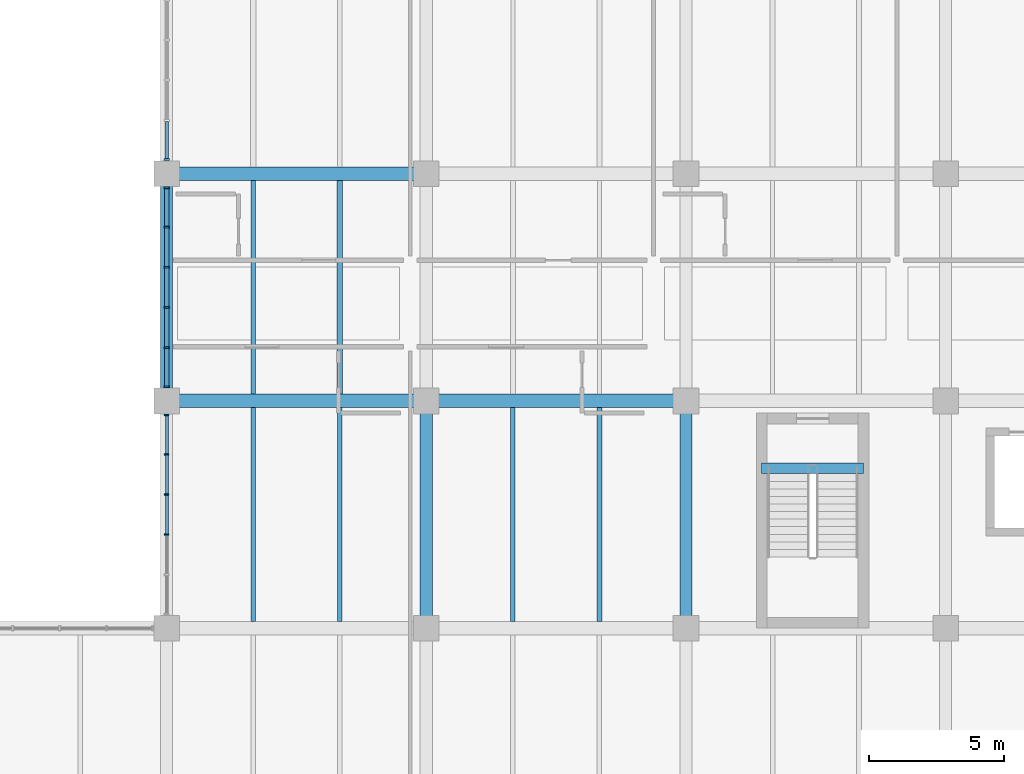
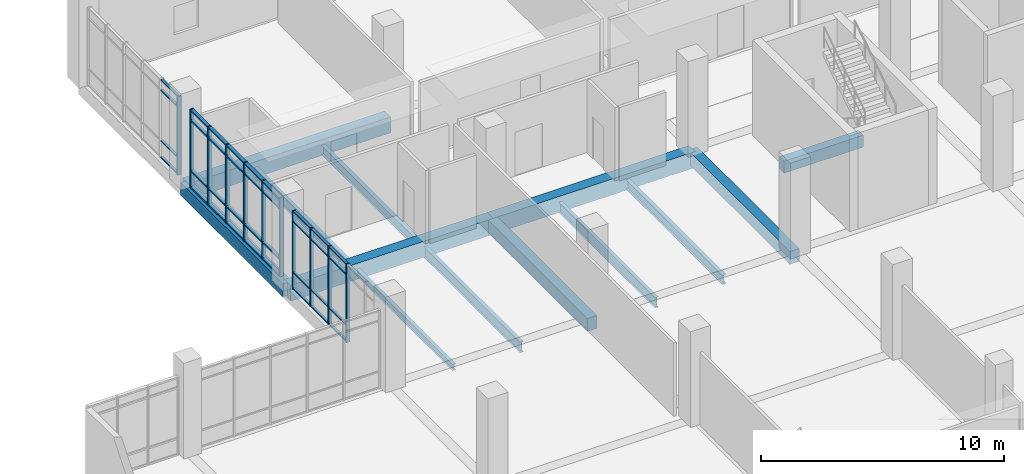
# One storey, part 70 of 152: 47 members, 13 beams, 3 elements without a shape of their own.
"""IFC4 building model written with IfcOpenShell, lengths in metres."""

from ifc_helpers import new_model, si_unit, direction, frame, origin, origin_2d, place, context, subcontext, project, spatial, rectangle, i_section, extrude, material, material_profile, profile_set, type_object, element, aggregate, save


model = new_model("IFC4")

# Units and contexts
model_context = context("Model", 3, precision=1e-05, world=origin(), true_north=direction((0.0, 1.0)))
body_context = subcontext(model_context, "Body", "Model", "MODEL_VIEW")
ifc_project = project(units=[si_unit("LENGTHUNIT", "METRE"), si_unit("AREAUNIT", "SQUARE_METRE"), si_unit("VOLUMEUNIT", "CUBIC_METRE"), si_unit("PLANEANGLEUNIT", "RADIAN"), si_unit("MASSUNIT", "GRAM", prefix="KILO")], contexts=[model_context])

# Site, building, storey
site_placement = place(None, origin())
site = spatial("IfcSite", under=ifc_project, at=site_placement, CompositionType="ELEMENT")
building_placement = place(site_placement, origin())
building = spatial("IfcBuilding", under=site, at=building_placement, Name="Oolite Switchyard Hospital", CompositionType="ELEMENT")
storey_placement = place(building_placement, frame((0.0, 0.0, 5.10009765625)))
storey = spatial("IfcBuildingStorey", under=building, at=storey_placement, Name="L01", CompositionType="ELEMENT", Elevation=5.10009765625)

# Beams
ifc_material_1 = material(Name="Concrete C40/50", Category="concrete")
ifc_material_profile_1 = material_profile(ifc_material_1, rectangle(XDim=0.39990234375, YDim=0.60009765625, at=origin_2d()), Name="RCB400X600")
ifc_profile_set_1 = profile_set([ifc_material_profile_1], Name="Concrete C40/50")
beam_type_1 = type_object("IfcBeamType", Name="BM-RC400X600", PredefinedType="BEAM", material=ifc_profile_set_1)
beam_1_placement = place(storey_placement, frame((156.39990234375, 115.110107421875, -0.300048828125), z_axis=(1.0, 0.0, 0.0), x_axis=(0.0, 1.0, 0.0)))
element("IfcBeam", 1, at=beam_1_placement, inside=storey, type_object=beam_type_1, Name="L01 ST-03 Stair Throat Trimmer Beam", PredefinedType="BEAM", context=body_context, shape_type="SweptSolid", body=[
    extrude(rectangle(XDim=0.39990234375, YDim=0.60009765625, at=origin_2d()), origin(), (0.0, 0.0, 1.0), 3.760009765625),
])
ifc_material_profile_2 = material_profile(ifc_material_1, rectangle(XDim=0.449951171875, YDim=0.64990234375, at=origin_2d()), Name="RCB450X650")
ifc_profile_set_2 = profile_set([ifc_material_profile_2], Name="Concrete C40/50")
beam_type_2 = type_object("IfcBeamType", Name="BM-RC450X650", PredefinedType="BEAM", material=ifc_profile_set_2)
beam_2_placement = place(storey_placement, frame((134.39990234375, 117.60009765625, -0.3251953125), z_axis=(0.0, 1.0, 0.0), x_axis=(-1.0, 0.0, 0.0)))
element("IfcBeam", 2, at=beam_2_placement, inside=storey, type_object=beam_type_2, Name="L01 Y-Girder 457", PredefinedType="BEAM", context=body_context, shape_type="SweptSolid", body=[
    extrude(rectangle(XDim=0.449951171875, YDim=0.64990234375, at=origin_2d()), origin(), (0.0, 0.0, 1.0), 8.39990234375),
])
for number, where, z_axis, x_axis, name in (
    (3, (144.0, 109.199951171875, -0.3251953125), (0.0, 1.0, 0.0), (-1.0, 0.0, 0.0), "L01 Y-Girder 471"),
    (4, (153.60009765625, 109.199951171875, -0.3251953125), (0.0, 1.0, 0.0), (-1.0, 0.0, 0.0), "L01 Y-Girder 484"),
):
    element("IfcBeam", number, at=place(storey_placement, frame(where, z_axis=z_axis, x_axis=x_axis)), inside=storey, type_object=beam_type_2, Name=name, PredefinedType="BEAM", context=body_context, shape_type="SweptSolid", body=[
        extrude(rectangle(XDim=0.449951171875, YDim=0.64990234375, at=origin_2d()), origin(), (0.0, 0.0, 1.0), 8.400146484375),
    ])
ifc_material_profile_3 = material_profile(ifc_material_1, rectangle(XDim=0.5, YDim=0.800048828125, at=origin_2d()), Name="RCB500X800")
ifc_profile_set_3 = profile_set([ifc_material_profile_3], Name="Concrete C40/50")
beam_type_3 = type_object("IfcBeamType", Name="BM-RC500X800", PredefinedType="BEAM", material=ifc_profile_set_3)
for number, where, z_axis, x_axis, name in (
    (5, (134.39990234375, 117.60009765625, -0.400146484375), (1.0, 0.0, 0.0), (0.0, 1.0, 0.0), "L01 X-Girder 247"),
    (6, (144.0, 117.60009765625, -0.400146484375), (1.0, 0.0, 0.0), (0.0, 1.0, 0.0), "L01 X-Girder 248"),
    (7, (134.39990234375, 126.0, -0.400146484375), (1.0, 0.0, 0.0), (0.0, 1.0, 0.0), "L01 X-Girder 263"),
):
    element("IfcBeam", number, at=place(storey_placement, frame(where, z_axis=z_axis, x_axis=x_axis)), inside=storey, type_object=beam_type_3, Name=name, PredefinedType="BEAM", context=body_context, shape_type="SweptSolid", body=[
        extrude(rectangle(XDim=0.5, YDim=0.800048828125, at=origin_2d()), origin(), (0.0, 0.0, 1.0), 9.60009765625),
    ])
ifc_material_2 = material(Name="Steel ASTM A992 Grade 50", Category="steel")
ifc_material_profile_4 = material_profile(ifc_material_2, i_section(OverallWidth=0.1650390625, OverallDepth=0.31005859375, WebThickness=0.006103515625, FlangeThickness=0.010009765625, at=origin_2d()), Name="W12X26")
ifc_profile_set_4 = profile_set([ifc_material_profile_4], Name="Steel ASTM A992 Grade 50")
beam_type_4 = type_object("IfcBeamType", Name="BM-W12X26", PredefinedType="JOIST", material=ifc_profile_set_4)
beam_3_placement = place(storey_placement, frame((137.60009765625, 109.449951171875, -0.43017578125), z_axis=(0.0, 1.0, 0.0), x_axis=(-1.0, 0.0, 0.0)))
element("IfcBeam", 8, at=beam_3_placement, inside=storey, type_object=beam_type_4, Name="L01 Secondary Steel Joist 846", PredefinedType="JOIST", context=body_context, shape_type="SweptSolid", body=[
    extrude(i_section(OverallWidth=0.1650390625, OverallDepth=0.31005859375, WebThickness=0.006103515625, FlangeThickness=0.010009765625, at=origin_2d()), origin(), (0.0, 0.0, 1.0), 7.900146484375),
])
ifc_material_profile_5 = material_profile(ifc_material_2, i_section(OverallWidth=0.19091796875, OverallDepth=0.4599609375, WebThickness=0.010009765625, FlangeThickness=0.01611328125, at=origin_2d()), Name="W18X55")
ifc_profile_set_5 = profile_set([ifc_material_profile_5], Name="Steel ASTM A992 Grade 50")
beam_type_5 = type_object("IfcBeamType", Name="BM-W18X55", PredefinedType="JOIST", material=ifc_profile_set_5)
beam_4_placement = place(storey_placement, frame((140.800048828125, 117.85009765625, -0.505126953125), z_axis=(0.0, 1.0, 0.0), x_axis=(-1.0, 0.0, 0.0)))
element("IfcBeam", 9, at=beam_4_placement, inside=storey, type_object=beam_type_5, Name="L01 Secondary Steel Joist 849", PredefinedType="JOIST", context=body_context, shape_type="SweptSolid", body=[
    extrude(i_section(OverallWidth=0.19091796875, OverallDepth=0.4599609375, WebThickness=0.010009765625, FlangeThickness=0.01611328125, at=origin_2d()), origin(), (0.0, 0.0, 1.0), 7.89990234375),
])
beam_5_placement = place(storey_placement, frame((150.39990234375, 109.449951171875, -0.505126953125), z_axis=(0.0, 1.0, 0.0), x_axis=(-1.0, 0.0, 0.0)))
element("IfcBeam", 10, at=beam_5_placement, inside=storey, type_object=beam_type_5, Name="L01 Secondary Steel Joist 867", PredefinedType="JOIST", context=body_context, shape_type="SweptSolid", body=[
    extrude(i_section(OverallWidth=0.19091796875, OverallDepth=0.4599609375, WebThickness=0.010009765625, FlangeThickness=0.01611328125, at=origin_2d()), origin(), (0.0, 0.0, 1.0), 7.900146484375),
])
ifc_material_profile_6 = material_profile(ifc_material_2, i_section(OverallWidth=0.166015625, OverallDepth=0.529052734375, WebThickness=0.010009765625, FlangeThickness=0.013916015625, at=origin_2d()), Name="W21X50")
ifc_profile_set_6 = profile_set([ifc_material_profile_6], Name="Steel ASTM A992 Grade 50")
beam_type_6 = type_object("IfcBeamType", Name="BM-W21X50", PredefinedType="JOIST", material=ifc_profile_set_6)
beam_6_placement = place(storey_placement, frame((140.800048828125, 109.449951171875, -0.5400390625), z_axis=(0.0, 1.0, 0.0), x_axis=(-1.0, 0.0, 0.0)))
element("IfcBeam", 11, at=beam_6_placement, inside=storey, type_object=beam_type_6, Name="L01 Secondary Steel Joist 847", PredefinedType="JOIST", context=body_context, shape_type="SweptSolid", body=[
    extrude(i_section(OverallWidth=0.166015625, OverallDepth=0.529052734375, WebThickness=0.010009765625, FlangeThickness=0.013916015625, at=origin_2d()), origin(), (0.0, 0.0, 1.0), 7.900146484375),
])
beam_7_placement = place(storey_placement, frame((137.60009765625, 117.85009765625, -0.5400390625), z_axis=(0.0, 1.0, 0.0), x_axis=(-1.0, 0.0, 0.0)))
element("IfcBeam", 12, at=beam_7_placement, inside=storey, type_object=beam_type_6, Name="L01 Secondary Steel Joist 848", PredefinedType="JOIST", context=body_context, shape_type="SweptSolid", body=[
    extrude(i_section(OverallWidth=0.166015625, OverallDepth=0.529052734375, WebThickness=0.010009765625, FlangeThickness=0.013916015625, at=origin_2d()), origin(), (0.0, 0.0, 1.0), 7.89990234375),
])
beam_8_placement = place(storey_placement, frame((147.199951171875, 109.449951171875, -0.5400390625), z_axis=(0.0, 1.0, 0.0), x_axis=(-1.0, 0.0, 0.0)))
element("IfcBeam", 13, at=beam_8_placement, inside=storey, type_object=beam_type_6, Name="L01 Secondary Steel Joist 866", PredefinedType="JOIST", context=body_context, shape_type="SweptSolid", body=[
    extrude(i_section(OverallWidth=0.166015625, OverallDepth=0.529052734375, WebThickness=0.010009765625, FlangeThickness=0.013916015625, at=origin_2d()), origin(), (0.0, 0.0, 1.0), 7.900146484375),
])

# Curtain wall, members
ifc_material_3 = material(Name="Thermally broken aluminum frame with laminated impact glazing", Category="aluminium")
curtain_wall_type = type_object("IfcCurtainWallType", Name="CW-UNIT-84X48", PredefinedType="USERDEFINED", material=ifc_material_3)
curtain_wall_1_placement = place(storey_placement, origin())
curtain_wall_1 = element("IfcCurtainWall", 14, at=curtain_wall_1_placement, inside=storey, type_object=curtain_wall_type, Name="L01 Unitised Curtain Wall 188", ObjectType="UNITISED", PredefinedType="USERDEFINED")
ifc_material_4 = material(Name="Aluminium 6063-T6", Category="aluminium")
ifc_material_profile_7 = material_profile(ifc_material_4, rectangle(XDim=0.159912109375, YDim=0.06005859375, at=origin_2d()), Name="CWM60X160")
ifc_profile_set_7 = profile_set([ifc_material_profile_7], Name="Aluminium 6063-T6")
member_type_1 = type_object("IfcMemberType", Name="CW-MUL-180", PredefinedType="MULLION", material=ifc_profile_set_7)
member_1_placement = place(storey_placement, frame((134.39990234375, 112.657958984375, 0.0), z_axis=(0.0, 0.0, 1.0), x_axis=(-1.0, 0.0, 0.0)))
member_1 = element("IfcMember", 15, at=member_1_placement, type_object=member_type_1, Name="CW-07 mullion 3", PredefinedType="MULLION", context=body_context, shape_type="SweptSolid", body=[
    extrude(rectangle(XDim=0.159912109375, YDim=0.06005859375, at=origin_2d()), origin(), (0.0, 0.0, 1.0), 3.93994140625),
])
member_2_placement = place(storey_placement, frame((134.39990234375, 114.14208984375, 0.0), z_axis=(0.0, 0.0, 1.0), x_axis=(-1.0, 0.0, 0.0)))
member_2 = element("IfcMember", 16, at=member_2_placement, type_object=member_type_1, Name="CW-07 mullion 4", PredefinedType="MULLION", context=body_context, shape_type="SweptSolid", body=[
    extrude(rectangle(XDim=0.159912109375, YDim=0.06005859375, at=origin_2d()), origin(), (0.0, 0.0, 1.0), 3.93994140625),
])
member_3_placement = place(storey_placement, frame((134.39990234375, 115.6259765625, 0.0), z_axis=(0.0, 0.0, 1.0), x_axis=(-1.0, 0.0, 0.0)))
member_3 = element("IfcMember", 17, at=member_3_placement, type_object=member_type_1, Name="CW-07 mullion 5", PredefinedType="MULLION", context=body_context, shape_type="SweptSolid", body=[
    extrude(rectangle(XDim=0.159912109375, YDim=0.06005859375, at=origin_2d()), origin(), (0.0, 0.0, 1.0), 3.93994140625),
])
member_4_placement = place(storey_placement, frame((134.39990234375, 117.080078125, 0.0), z_axis=(0.0, 0.0, 1.0), x_axis=(-1.0, 0.0, 0.0)))
member_4 = element("IfcMember", 18, at=member_4_placement, type_object=member_type_1, Name="CW-07 mullion 6", PredefinedType="MULLION", context=body_context, shape_type="SweptSolid", body=[
    extrude(rectangle(XDim=0.159912109375, YDim=0.06005859375, at=origin_2d()), origin(), (0.0, 0.0, 1.0), 3.93994140625),
])

curtain_wall_2_placement = place(storey_placement, origin())
curtain_wall_2 = element("IfcCurtainWall", 19, at=curtain_wall_2_placement, inside=storey, type_object=curtain_wall_type, Name="L01 Unitised Curtain Wall 189", ObjectType="UNITISED", PredefinedType="USERDEFINED")
ifc_material_profile_8 = material_profile(ifc_material_4, rectangle(XDim=0.179931640625, YDim=0.070068359375, at=origin_2d()), Name="CWM70X180")
ifc_profile_set_8 = profile_set([ifc_material_profile_8], Name="Aluminium 6063-T6")
member_type_2 = type_object("IfcMemberType", Name="CW-MUL-220", PredefinedType="MULLION", material=ifc_profile_set_8)
member_5_placement = place(storey_placement, frame((134.39990234375, 118.125, 0.0), z_axis=(0.0, 0.0, 1.0), x_axis=(-1.0, 0.0, 0.0)))
member_5 = element("IfcMember", 20, at=member_5_placement, type_object=member_type_2, Name="CW-07 mullion 1", PredefinedType="MULLION", context=body_context, shape_type="SweptSolid", body=[
    extrude(rectangle(XDim=0.179931640625, YDim=0.070068359375, at=origin_2d()), origin(), (0.0, 0.0, 1.0), 3.93994140625),
])
member_6_placement = place(storey_placement, frame((134.39990234375, 119.573974609375, 0.0), z_axis=(0.0, 0.0, 1.0), x_axis=(-1.0, 0.0, 0.0)))
member_6 = element("IfcMember", 21, at=member_6_placement, type_object=member_type_2, Name="CW-07 mullion 2", PredefinedType="MULLION", context=body_context, shape_type="SweptSolid", body=[
    extrude(rectangle(XDim=0.179931640625, YDim=0.070068359375, at=origin_2d()), origin(), (0.0, 0.0, 1.0), 3.93994140625),
])
member_7_placement = place(storey_placement, frame((134.39990234375, 121.05810546875, 0.0), z_axis=(0.0, 0.0, 1.0), x_axis=(-1.0, 0.0, 0.0)))
member_7 = element("IfcMember", 22, at=member_7_placement, type_object=member_type_2, Name="CW-07 mullion 3", PredefinedType="MULLION", context=body_context, shape_type="SweptSolid", body=[
    extrude(rectangle(XDim=0.179931640625, YDim=0.070068359375, at=origin_2d()), origin(), (0.0, 0.0, 1.0), 3.93994140625),
])
member_8_placement = place(storey_placement, frame((134.39990234375, 122.5419921875, 0.0), z_axis=(0.0, 0.0, 1.0), x_axis=(-1.0, 0.0, 0.0)))
member_8 = element("IfcMember", 23, at=member_8_placement, type_object=member_type_2, Name="CW-07 mullion 4", PredefinedType="MULLION", context=body_context, shape_type="SweptSolid", body=[
    extrude(rectangle(XDim=0.179931640625, YDim=0.070068359375, at=origin_2d()), origin(), (0.0, 0.0, 1.0), 3.93994140625),
])
member_9_placement = place(storey_placement, frame((134.39990234375, 124.02587890625, 0.0), z_axis=(0.0, 0.0, 1.0), x_axis=(-1.0, 0.0, 0.0)))
member_9 = element("IfcMember", 24, at=member_9_placement, type_object=member_type_2, Name="CW-07 mullion 5", PredefinedType="MULLION", context=body_context, shape_type="SweptSolid", body=[
    extrude(rectangle(XDim=0.179931640625, YDim=0.070068359375, at=origin_2d()), origin(), (0.0, 0.0, 1.0), 3.93994140625),
])
member_10_placement = place(storey_placement, frame((134.39990234375, 125.47509765625, 0.0), z_axis=(0.0, 0.0, 1.0), x_axis=(-1.0, 0.0, 0.0)))
member_10 = element("IfcMember", 25, at=member_10_placement, type_object=member_type_2, Name="CW-07 mullion 6", PredefinedType="MULLION", context=body_context, shape_type="SweptSolid", body=[
    extrude(rectangle(XDim=0.179931640625, YDim=0.070068359375, at=origin_2d()), origin(), (0.0, 0.0, 1.0), 3.93994140625),
])

# Curtain wall, member
curtain_wall_3_placement = place(storey_placement, origin())
curtain_wall_3 = element("IfcCurtainWall", 26, at=curtain_wall_3_placement, inside=storey, type_object=curtain_wall_type, Name="L01 Unitised Curtain Wall 190", ObjectType="UNITISED", PredefinedType="USERDEFINED")
ifc_material_profile_9 = material_profile(ifc_material_4, rectangle(XDim=0.199951171875, YDim=0.074951171875, at=origin_2d()), Name="CWM75X200")
ifc_profile_set_9 = profile_set([ifc_material_profile_9], Name="Aluminium 6063-T6")
member_type_3 = type_object("IfcMemberType", Name="CW-MUL-260", PredefinedType="MULLION", material=ifc_profile_set_9)
member_11_placement = place(storey_placement, frame((134.39990234375, 126.527587890625, 0.0), z_axis=(0.0, 0.0, 1.0), x_axis=(-1.0, 0.0, 0.0)))
member_11 = element("IfcMember", 27, at=member_11_placement, type_object=member_type_3, Name="CW-07 mullion 1", PredefinedType="MULLION", context=body_context, shape_type="SweptSolid", body=[
    extrude(rectangle(XDim=0.199951171875, YDim=0.074951171875, at=origin_2d()), origin(), (0.0, 0.0, 1.0), 3.93994140625),
])

# Member
ifc_material_profile_10 = material_profile(ifc_material_4, rectangle(XDim=0.1201171875, YDim=0.06005859375, at=origin_2d()), Name="CWT60X120")
ifc_profile_set_10 = profile_set([ifc_material_profile_10], Name="Aluminium 6063-T6")
member_type_4 = type_object("IfcMemberType", Name="CW-TRN-150", PredefinedType="USERDEFINED", material=ifc_profile_set_10)
member_12_placement = place(storey_placement, frame((134.39990234375, 112.68798828125, 0.02978515625), z_axis=(0.0, 1.0, 0.0), x_axis=(-1.0, 0.0, 0.0)))
member_12 = element("IfcMember", 28, at=member_12_placement, type_object=member_type_4, Name="CW-07 transom 3.1", ObjectType="TRANSOM", PredefinedType="USERDEFINED", context=body_context, shape_type="SweptSolid", body=[
    extrude(rectangle(XDim=0.1201171875, YDim=0.06005859375, at=origin_2d()), origin(), (0.0, 0.0, 1.0), 1.424072265625),
])

member_13_placement = place(storey_placement, frame((134.39990234375, 112.68798828125, 0.849853515625), z_axis=(0.0, 1.0, 0.0), x_axis=(-1.0, 0.0, 0.0)))
member_13 = element("IfcMember", 29, at=member_13_placement, type_object=member_type_4, Name="CW-07 transom 3.2", ObjectType="TRANSOM", PredefinedType="USERDEFINED", context=body_context, shape_type="SweptSolid", body=[
    extrude(rectangle(XDim=0.1201171875, YDim=0.06005859375, at=origin_2d()), origin(), (0.0, 0.0, 1.0), 1.424072265625),
])

member_14_placement = place(storey_placement, frame((134.39990234375, 112.68798828125, 3.389892578125), z_axis=(0.0, 1.0, 0.0), x_axis=(-1.0, 0.0, 0.0)))
member_14 = element("IfcMember", 30, at=member_14_placement, type_object=member_type_4, Name="CW-07 transom 3.3", ObjectType="TRANSOM", PredefinedType="USERDEFINED", context=body_context, shape_type="SweptSolid", body=[
    extrude(rectangle(XDim=0.1201171875, YDim=0.06005859375, at=origin_2d()), origin(), (0.0, 0.0, 1.0), 1.424072265625),
])

member_15_placement = place(storey_placement, frame((134.39990234375, 112.68798828125, 3.909912109375), z_axis=(0.0, 1.0, 0.0), x_axis=(-1.0, 0.0, 0.0)))
member_15 = element("IfcMember", 31, at=member_15_placement, type_object=member_type_4, Name="CW-07 transom 3.4", ObjectType="TRANSOM", PredefinedType="USERDEFINED", context=body_context, shape_type="SweptSolid", body=[
    extrude(rectangle(XDim=0.1201171875, YDim=0.06005859375, at=origin_2d()), origin(), (0.0, 0.0, 1.0), 1.424072265625),
])

member_16_placement = place(storey_placement, frame((134.39990234375, 114.172119140625, 0.02978515625), z_axis=(0.0, 1.0, 0.0), x_axis=(-1.0, 0.0, 0.0)))
member_16 = element("IfcMember", 32, at=member_16_placement, type_object=member_type_4, Name="CW-07 transom 4.1", ObjectType="TRANSOM", PredefinedType="USERDEFINED", context=body_context, shape_type="SweptSolid", body=[
    extrude(rectangle(XDim=0.1201171875, YDim=0.06005859375, at=origin_2d()), origin(), (0.0, 0.0, 1.0), 1.423828125),
])

member_17_placement = place(storey_placement, frame((134.39990234375, 114.172119140625, 0.849853515625), z_axis=(0.0, 1.0, 0.0), x_axis=(-1.0, 0.0, 0.0)))
member_17 = element("IfcMember", 33, at=member_17_placement, type_object=member_type_4, Name="CW-07 transom 4.2", ObjectType="TRANSOM", PredefinedType="USERDEFINED", context=body_context, shape_type="SweptSolid", body=[
    extrude(rectangle(XDim=0.1201171875, YDim=0.06005859375, at=origin_2d()), origin(), (0.0, 0.0, 1.0), 1.423828125),
])

member_18_placement = place(storey_placement, frame((134.39990234375, 114.172119140625, 3.389892578125), z_axis=(0.0, 1.0, 0.0), x_axis=(-1.0, 0.0, 0.0)))
member_18 = element("IfcMember", 34, at=member_18_placement, type_object=member_type_4, Name="CW-07 transom 4.3", ObjectType="TRANSOM", PredefinedType="USERDEFINED", context=body_context, shape_type="SweptSolid", body=[
    extrude(rectangle(XDim=0.1201171875, YDim=0.06005859375, at=origin_2d()), origin(), (0.0, 0.0, 1.0), 1.423828125),
])

member_19_placement = place(storey_placement, frame((134.39990234375, 114.172119140625, 3.909912109375), z_axis=(0.0, 1.0, 0.0), x_axis=(-1.0, 0.0, 0.0)))
member_19 = element("IfcMember", 35, at=member_19_placement, type_object=member_type_4, Name="CW-07 transom 4.4", ObjectType="TRANSOM", PredefinedType="USERDEFINED", context=body_context, shape_type="SweptSolid", body=[
    extrude(rectangle(XDim=0.1201171875, YDim=0.06005859375, at=origin_2d()), origin(), (0.0, 0.0, 1.0), 1.423828125),
])

member_20_placement = place(storey_placement, frame((134.39990234375, 115.656005859375, 0.02978515625), z_axis=(0.0, 1.0, 0.0), x_axis=(-1.0, 0.0, 0.0)))
member_20 = element("IfcMember", 36, at=member_20_placement, type_object=member_type_4, Name="CW-07 transom 5.1", ObjectType="TRANSOM", PredefinedType="USERDEFINED", context=body_context, shape_type="SweptSolid", body=[
    extrude(rectangle(XDim=0.1201171875, YDim=0.06005859375, at=origin_2d()), origin(), (0.0, 0.0, 1.0), 1.39404296875),
])

member_21_placement = place(storey_placement, frame((134.39990234375, 115.656005859375, 0.849853515625), z_axis=(0.0, 1.0, 0.0), x_axis=(-1.0, 0.0, 0.0)))
member_21 = element("IfcMember", 37, at=member_21_placement, type_object=member_type_4, Name="CW-07 transom 5.2", ObjectType="TRANSOM", PredefinedType="USERDEFINED", context=body_context, shape_type="SweptSolid", body=[
    extrude(rectangle(XDim=0.1201171875, YDim=0.06005859375, at=origin_2d()), origin(), (0.0, 0.0, 1.0), 1.39404296875),
])

member_22_placement = place(storey_placement, frame((134.39990234375, 115.656005859375, 3.389892578125), z_axis=(0.0, 1.0, 0.0), x_axis=(-1.0, 0.0, 0.0)))
member_22 = element("IfcMember", 38, at=member_22_placement, type_object=member_type_4, Name="CW-07 transom 5.3", ObjectType="TRANSOM", PredefinedType="USERDEFINED", context=body_context, shape_type="SweptSolid", body=[
    extrude(rectangle(XDim=0.1201171875, YDim=0.06005859375, at=origin_2d()), origin(), (0.0, 0.0, 1.0), 1.39404296875),
])

member_23_placement = place(storey_placement, frame((134.39990234375, 115.656005859375, 3.909912109375), z_axis=(0.0, 1.0, 0.0), x_axis=(-1.0, 0.0, 0.0)))
member_23 = element("IfcMember", 39, at=member_23_placement, type_object=member_type_4, Name="CW-07 transom 5.4", ObjectType="TRANSOM", PredefinedType="USERDEFINED", context=body_context, shape_type="SweptSolid", body=[
    extrude(rectangle(XDim=0.1201171875, YDim=0.06005859375, at=origin_2d()), origin(), (0.0, 0.0, 1.0), 1.39404296875),
])

aggregate(curtain_wall_1, [member_1, member_2, member_3, member_4, member_12, member_13, member_14, member_15, member_16, member_17, member_18, member_19, member_20, member_21, member_22, member_23])

member_24_placement = place(storey_placement, frame((134.39990234375, 126.56494140625, 0.02978515625), z_axis=(0.0, 1.0, 0.0), x_axis=(-1.0, 0.0, 0.0)))
member_24 = element("IfcMember", 40, at=member_24_placement, type_object=member_type_4, Name="CW-07 transom 1.1", ObjectType="TRANSOM", PredefinedType="USERDEFINED", context=body_context, shape_type="SweptSolid", body=[
    extrude(rectangle(XDim=0.1201171875, YDim=0.06005859375, at=origin_2d()), origin(), (0.0, 0.0, 1.0), 1.37158203125),
])

member_25_placement = place(storey_placement, frame((134.39990234375, 126.56494140625, 0.849853515625), z_axis=(0.0, 1.0, 0.0), x_axis=(-1.0, 0.0, 0.0)))
member_25 = element("IfcMember", 41, at=member_25_placement, type_object=member_type_4, Name="CW-07 transom 1.2", ObjectType="TRANSOM", PredefinedType="USERDEFINED", context=body_context, shape_type="SweptSolid", body=[
    extrude(rectangle(XDim=0.1201171875, YDim=0.06005859375, at=origin_2d()), origin(), (0.0, 0.0, 1.0), 1.37158203125),
])

member_26_placement = place(storey_placement, frame((134.39990234375, 126.56494140625, 3.389892578125), z_axis=(0.0, 1.0, 0.0), x_axis=(-1.0, 0.0, 0.0)))
member_26 = element("IfcMember", 42, at=member_26_placement, type_object=member_type_4, Name="CW-07 transom 1.3", ObjectType="TRANSOM", PredefinedType="USERDEFINED", context=body_context, shape_type="SweptSolid", body=[
    extrude(rectangle(XDim=0.1201171875, YDim=0.06005859375, at=origin_2d()), origin(), (0.0, 0.0, 1.0), 1.37158203125),
])

member_27_placement = place(storey_placement, frame((134.39990234375, 126.56494140625, 3.909912109375), z_axis=(0.0, 1.0, 0.0), x_axis=(-1.0, 0.0, 0.0)))
member_27 = element("IfcMember", 43, at=member_27_placement, type_object=member_type_4, Name="CW-07 transom 1.4", ObjectType="TRANSOM", PredefinedType="USERDEFINED", context=body_context, shape_type="SweptSolid", body=[
    extrude(rectangle(XDim=0.1201171875, YDim=0.06005859375, at=origin_2d()), origin(), (0.0, 0.0, 1.0), 1.37158203125),
])

aggregate(curtain_wall_3, [member_11, member_24, member_25, member_26, member_27])

ifc_material_profile_11 = material_profile(ifc_material_4, rectangle(XDim=0.159912109375, YDim=0.074951171875, at=origin_2d()), Name="CWT75X160")
ifc_profile_set_11 = profile_set([ifc_material_profile_11], Name="Aluminium 6063-T6")
member_type_5 = type_object("IfcMemberType", Name="CW-TRN-180", PredefinedType="USERDEFINED", material=ifc_profile_set_11)
member_28_placement = place(storey_placement, frame((134.39990234375, 118.159912109375, 0.037353515625), z_axis=(0.0, 1.0, 0.0), x_axis=(-1.0, 0.0, 0.0)))
member_28 = element("IfcMember", 44, at=member_28_placement, type_object=member_type_5, Name="CW-07 transom 1.1", ObjectType="TRANSOM", PredefinedType="USERDEFINED", context=body_context, shape_type="SweptSolid", body=[
    extrude(rectangle(XDim=0.159912109375, YDim=0.074951171875, at=origin_2d()), origin(), (0.0, 0.0, 1.0), 1.379150390625),
])

member_29_placement = place(storey_placement, frame((134.39990234375, 118.159912109375, 0.849853515625), z_axis=(0.0, 1.0, 0.0), x_axis=(-1.0, 0.0, 0.0)))
member_29 = element("IfcMember", 45, at=member_29_placement, type_object=member_type_5, Name="CW-07 transom 1.2", ObjectType="TRANSOM", PredefinedType="USERDEFINED", context=body_context, shape_type="SweptSolid", body=[
    extrude(rectangle(XDim=0.159912109375, YDim=0.074951171875, at=origin_2d()), origin(), (0.0, 0.0, 1.0), 1.379150390625),
])

member_30_placement = place(storey_placement, frame((134.39990234375, 118.159912109375, 3.389892578125), z_axis=(0.0, 1.0, 0.0), x_axis=(-1.0, 0.0, 0.0)))
member_30 = element("IfcMember", 46, at=member_30_placement, type_object=member_type_5, Name="CW-07 transom 1.3", ObjectType="TRANSOM", PredefinedType="USERDEFINED", context=body_context, shape_type="SweptSolid", body=[
    extrude(rectangle(XDim=0.159912109375, YDim=0.074951171875, at=origin_2d()), origin(), (0.0, 0.0, 1.0), 1.379150390625),
])

member_31_placement = place(storey_placement, frame((134.39990234375, 118.159912109375, 3.90234375), z_axis=(0.0, 1.0, 0.0), x_axis=(-1.0, 0.0, 0.0)))
member_31 = element("IfcMember", 47, at=member_31_placement, type_object=member_type_5, Name="CW-07 transom 1.4", ObjectType="TRANSOM", PredefinedType="USERDEFINED", context=body_context, shape_type="SweptSolid", body=[
    extrude(rectangle(XDim=0.159912109375, YDim=0.074951171875, at=origin_2d()), origin(), (0.0, 0.0, 1.0), 1.379150390625),
])

member_32_placement = place(storey_placement, frame((134.39990234375, 119.60888671875, 0.037353515625), z_axis=(0.0, 1.0, 0.0), x_axis=(-1.0, 0.0, 0.0)))
member_32 = element("IfcMember", 48, at=member_32_placement, type_object=member_type_5, Name="CW-07 transom 2.1", ObjectType="TRANSOM", PredefinedType="USERDEFINED", context=body_context, shape_type="SweptSolid", body=[
    extrude(rectangle(XDim=0.159912109375, YDim=0.074951171875, at=origin_2d()), origin(), (0.0, 0.0, 1.0), 1.4140625),
])

member_33_placement = place(storey_placement, frame((134.39990234375, 119.60888671875, 0.849853515625), z_axis=(0.0, 1.0, 0.0), x_axis=(-1.0, 0.0, 0.0)))
member_33 = element("IfcMember", 49, at=member_33_placement, type_object=member_type_5, Name="CW-07 transom 2.2", ObjectType="TRANSOM", PredefinedType="USERDEFINED", context=body_context, shape_type="SweptSolid", body=[
    extrude(rectangle(XDim=0.159912109375, YDim=0.074951171875, at=origin_2d()), origin(), (0.0, 0.0, 1.0), 1.4140625),
])

member_34_placement = place(storey_placement, frame((134.39990234375, 119.60888671875, 3.389892578125), z_axis=(0.0, 1.0, 0.0), x_axis=(-1.0, 0.0, 0.0)))
member_34 = element("IfcMember", 50, at=member_34_placement, type_object=member_type_5, Name="CW-07 transom 2.3", ObjectType="TRANSOM", PredefinedType="USERDEFINED", context=body_context, shape_type="SweptSolid", body=[
    extrude(rectangle(XDim=0.159912109375, YDim=0.074951171875, at=origin_2d()), origin(), (0.0, 0.0, 1.0), 1.4140625),
])

member_35_placement = place(storey_placement, frame((134.39990234375, 119.60888671875, 3.90234375), z_axis=(0.0, 1.0, 0.0), x_axis=(-1.0, 0.0, 0.0)))
member_35 = element("IfcMember", 51, at=member_35_placement, type_object=member_type_5, Name="CW-07 transom 2.4", ObjectType="TRANSOM", PredefinedType="USERDEFINED", context=body_context, shape_type="SweptSolid", body=[
    extrude(rectangle(XDim=0.159912109375, YDim=0.074951171875, at=origin_2d()), origin(), (0.0, 0.0, 1.0), 1.4140625),
])

member_36_placement = place(storey_placement, frame((134.39990234375, 121.093017578125, 0.037353515625), z_axis=(0.0, 1.0, 0.0), x_axis=(-1.0, 0.0, 0.0)))
member_36 = element("IfcMember", 52, at=member_36_placement, type_object=member_type_5, Name="CW-07 transom 3.1", ObjectType="TRANSOM", PredefinedType="USERDEFINED", context=body_context, shape_type="SweptSolid", body=[
    extrude(rectangle(XDim=0.159912109375, YDim=0.074951171875, at=origin_2d()), origin(), (0.0, 0.0, 1.0), 1.4140625),
])

member_37_placement = place(storey_placement, frame((134.39990234375, 121.093017578125, 0.849853515625), z_axis=(0.0, 1.0, 0.0), x_axis=(-1.0, 0.0, 0.0)))
member_37 = element("IfcMember", 53, at=member_37_placement, type_object=member_type_5, Name="CW-07 transom 3.2", ObjectType="TRANSOM", PredefinedType="USERDEFINED", context=body_context, shape_type="SweptSolid", body=[
    extrude(rectangle(XDim=0.159912109375, YDim=0.074951171875, at=origin_2d()), origin(), (0.0, 0.0, 1.0), 1.4140625),
])

member_38_placement = place(storey_placement, frame((134.39990234375, 121.093017578125, 3.389892578125), z_axis=(0.0, 1.0, 0.0), x_axis=(-1.0, 0.0, 0.0)))
member_38 = element("IfcMember", 54, at=member_38_placement, type_object=member_type_5, Name="CW-07 transom 3.3", ObjectType="TRANSOM", PredefinedType="USERDEFINED", context=body_context, shape_type="SweptSolid", body=[
    extrude(rectangle(XDim=0.159912109375, YDim=0.074951171875, at=origin_2d()), origin(), (0.0, 0.0, 1.0), 1.4140625),
])

member_39_placement = place(storey_placement, frame((134.39990234375, 121.093017578125, 3.90234375), z_axis=(0.0, 1.0, 0.0), x_axis=(-1.0, 0.0, 0.0)))
member_39 = element("IfcMember", 55, at=member_39_placement, type_object=member_type_5, Name="CW-07 transom 3.4", ObjectType="TRANSOM", PredefinedType="USERDEFINED", context=body_context, shape_type="SweptSolid", body=[
    extrude(rectangle(XDim=0.159912109375, YDim=0.074951171875, at=origin_2d()), origin(), (0.0, 0.0, 1.0), 1.4140625),
])

member_40_placement = place(storey_placement, frame((134.39990234375, 122.576904296875, 0.037353515625), z_axis=(0.0, 1.0, 0.0), x_axis=(-1.0, 0.0, 0.0)))
member_40 = element("IfcMember", 56, at=member_40_placement, type_object=member_type_5, Name="CW-07 transom 4.1", ObjectType="TRANSOM", PredefinedType="USERDEFINED", context=body_context, shape_type="SweptSolid", body=[
    extrude(rectangle(XDim=0.159912109375, YDim=0.074951171875, at=origin_2d()), origin(), (0.0, 0.0, 1.0), 1.4140625),
])

member_41_placement = place(storey_placement, frame((134.39990234375, 122.576904296875, 0.849853515625), z_axis=(0.0, 1.0, 0.0), x_axis=(-1.0, 0.0, 0.0)))
member_41 = element("IfcMember", 57, at=member_41_placement, type_object=member_type_5, Name="CW-07 transom 4.2", ObjectType="TRANSOM", PredefinedType="USERDEFINED", context=body_context, shape_type="SweptSolid", body=[
    extrude(rectangle(XDim=0.159912109375, YDim=0.074951171875, at=origin_2d()), origin(), (0.0, 0.0, 1.0), 1.4140625),
])

member_42_placement = place(storey_placement, frame((134.39990234375, 122.576904296875, 3.389892578125), z_axis=(0.0, 1.0, 0.0), x_axis=(-1.0, 0.0, 0.0)))
member_42 = element("IfcMember", 58, at=member_42_placement, type_object=member_type_5, Name="CW-07 transom 4.3", ObjectType="TRANSOM", PredefinedType="USERDEFINED", context=body_context, shape_type="SweptSolid", body=[
    extrude(rectangle(XDim=0.159912109375, YDim=0.074951171875, at=origin_2d()), origin(), (0.0, 0.0, 1.0), 1.4140625),
])

member_43_placement = place(storey_placement, frame((134.39990234375, 122.576904296875, 3.90234375), z_axis=(0.0, 1.0, 0.0), x_axis=(-1.0, 0.0, 0.0)))
member_43 = element("IfcMember", 59, at=member_43_placement, type_object=member_type_5, Name="CW-07 transom 4.4", ObjectType="TRANSOM", PredefinedType="USERDEFINED", context=body_context, shape_type="SweptSolid", body=[
    extrude(rectangle(XDim=0.159912109375, YDim=0.074951171875, at=origin_2d()), origin(), (0.0, 0.0, 1.0), 1.4140625),
])

member_44_placement = place(storey_placement, frame((134.39990234375, 124.06103515625, 0.037353515625), z_axis=(0.0, 1.0, 0.0), x_axis=(-1.0, 0.0, 0.0)))
member_44 = element("IfcMember", 60, at=member_44_placement, type_object=member_type_5, Name="CW-07 transom 5.1", ObjectType="TRANSOM", PredefinedType="USERDEFINED", context=body_context, shape_type="SweptSolid", body=[
    extrude(rectangle(XDim=0.159912109375, YDim=0.074951171875, at=origin_2d()), origin(), (0.0, 0.0, 1.0), 1.37890625),
])

member_45_placement = place(storey_placement, frame((134.39990234375, 124.06103515625, 0.849853515625), z_axis=(0.0, 1.0, 0.0), x_axis=(-1.0, 0.0, 0.0)))
member_45 = element("IfcMember", 61, at=member_45_placement, type_object=member_type_5, Name="CW-07 transom 5.2", ObjectType="TRANSOM", PredefinedType="USERDEFINED", context=body_context, shape_type="SweptSolid", body=[
    extrude(rectangle(XDim=0.159912109375, YDim=0.074951171875, at=origin_2d()), origin(), (0.0, 0.0, 1.0), 1.37890625),
])

member_46_placement = place(storey_placement, frame((134.39990234375, 124.06103515625, 3.389892578125), z_axis=(0.0, 1.0, 0.0), x_axis=(-1.0, 0.0, 0.0)))
member_46 = element("IfcMember", 62, at=member_46_placement, type_object=member_type_5, Name="CW-07 transom 5.3", ObjectType="TRANSOM", PredefinedType="USERDEFINED", context=body_context, shape_type="SweptSolid", body=[
    extrude(rectangle(XDim=0.159912109375, YDim=0.074951171875, at=origin_2d()), origin(), (0.0, 0.0, 1.0), 1.37890625),
])

member_47_placement = place(storey_placement, frame((134.39990234375, 124.06103515625, 3.90234375), z_axis=(0.0, 1.0, 0.0), x_axis=(-1.0, 0.0, 0.0)))
member_47 = element("IfcMember", 63, at=member_47_placement, type_object=member_type_5, Name="CW-07 transom 5.4", ObjectType="TRANSOM", PredefinedType="USERDEFINED", context=body_context, shape_type="SweptSolid", body=[
    extrude(rectangle(XDim=0.159912109375, YDim=0.074951171875, at=origin_2d()), origin(), (0.0, 0.0, 1.0), 1.37890625),
])

aggregate(curtain_wall_2, [member_5, member_6, member_7, member_8, member_9, member_10, member_28, member_29, member_30, member_31, member_32, member_33, member_34, member_35, member_36, member_37, member_38, member_39, member_40, member_41, member_42, member_43, member_44, member_45, member_46, member_47])

save(model, "model.ifc")
